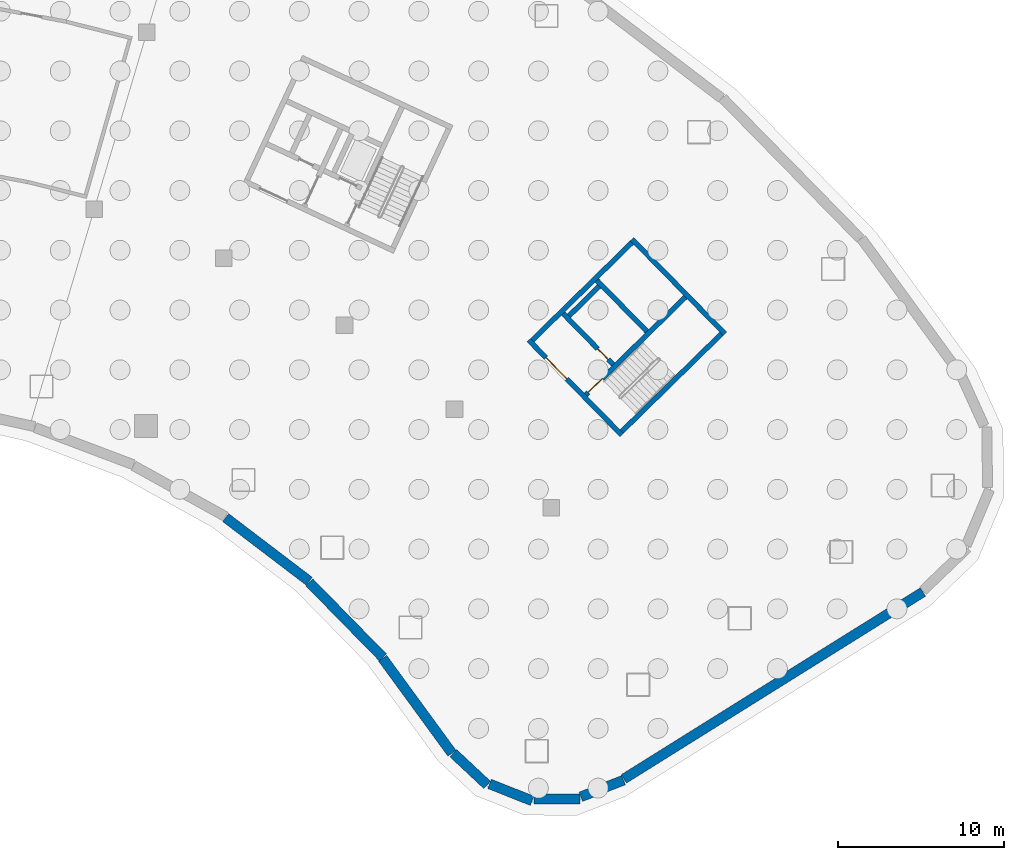
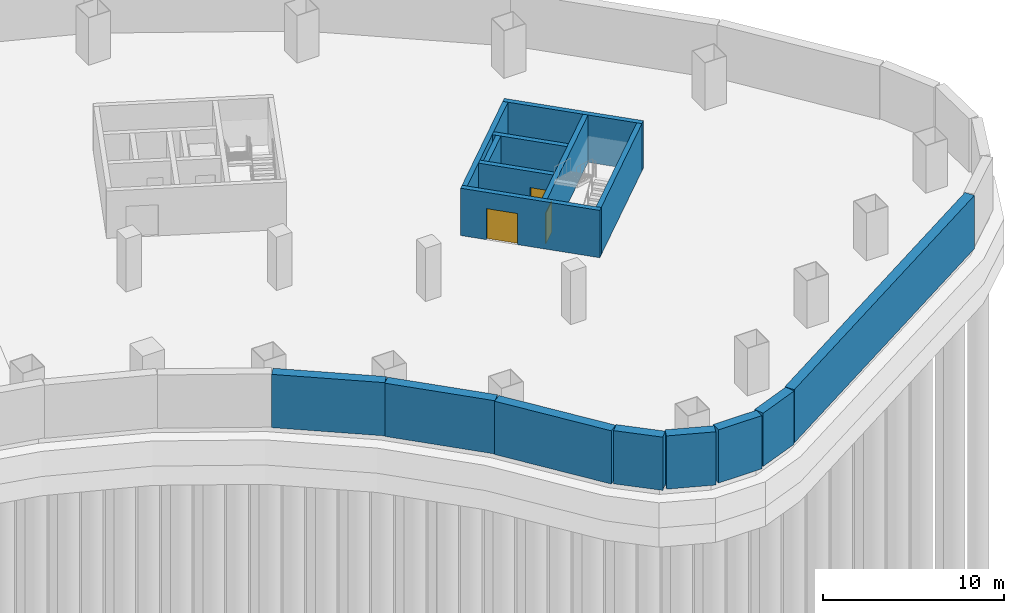
# One storey, part 6 of 10: 16 walls, 3 doors, 3 openings.
"""IFC4 building model written with IfcOpenShell, lengths in metres."""

from ifc_helpers import new_model, si_unit, direction, frame, frame_2d, origin, place, context, subcontext, project, spatial, rectangle, extrude, material, layer, layer_set, type_object, element, fill, save


model = new_model("IFC4")

# Units and contexts
model_context = context("Model", 3, precision=1e-05, world=origin(), true_north=direction((0.0, 1.0)))
body_context = subcontext(model_context, "Body", "Model", "MODEL_VIEW")
ifc_project = project(units=[si_unit("LENGTHUNIT", "METRE"), si_unit("AREAUNIT", "SQUARE_METRE"), si_unit("VOLUMEUNIT", "CUBIC_METRE"), si_unit("PLANEANGLEUNIT", "RADIAN"), si_unit("MASSUNIT", "GRAM", prefix="KILO")], contexts=[model_context])

# Site, building, storey
site_placement = place(None, origin())
site = spatial("IfcSite", under=ifc_project, at=site_placement, CompositionType="ELEMENT")
building_placement = place(site_placement, origin())
building = spatial("IfcBuilding", under=site, at=building_placement, Name="Tuul Gate Civic Tower", CompositionType="ELEMENT")
storey_placement = place(building_placement, frame((0.0, 0.0, -11.699951171875)))
storey = spatial("IfcBuildingStorey", under=building, at=storey_placement, Name="Basement 3", CompositionType="ELEMENT", Elevation=-11.699951171875)

# Wall, opening, door
ifc_material_1 = material(Name="Concrete C50/60", Category="concrete")
ifc_layer_1 = layer(ifc_material_1, 0.300048828125)
ifc_layer_set_1 = layer_set([ifc_layer_1], Name="Concrete C50/60")
wall_type_1 = type_object("IfcWallType", Name="Core wall C50/60", PredefinedType="SHEAR", material=ifc_layer_set_1)
wall_1_placement = place(storey_placement, frame((48.22509765625, -18.327880859375, 0.0), z_axis=(0.0, 0.0, 1.0), x_axis=(-0.700021979774, 0.714121297703, 0.0)))
wall_1 = element("IfcWall", 1, at=wall_1_placement, inside=storey, type_object=wall_type_1, Name="Core wall", PredefinedType="SHEAR", context=body_context, shape_type="SweptSolid", body=[
    extrude(rectangle(XDim=8.0, YDim=0.300048828125, at=frame_2d((4.0, 0.0))), origin(), (0.0, 0.0, 1.0), 3.199951171875),
])
opening_1_placement = place(wall_1_placement, frame((4.72509765625, 0.0, 0.0)))
opening_1 = element("IfcOpeningElement", 2, at=opening_1_placement, cuts=wall_1, Name="Opening LB-E1-LOBBY-1", PredefinedType="OPENING", context=body_context, shape_type="SweptSolid", body=[
    extrude(rectangle(XDim=1.800048828125, YDim=2.10009765625, at=frame_2d((0.89990234375, 1.050048828125))), frame((0.0, 0.16015625, 0.0), z_axis=(0.0, -1.0, 0.0), x_axis=(1.0, 0.0, 0.0)), (0.0, 0.0, 1.0), 0.320068359375),
])
ifc_material_2 = material(Name="Steel", Category="steel")
door_type_1 = type_object("IfcDoorType", Name="Lobby door", OperationType="DOUBLE_DOOR_SINGLE_SWING", PredefinedType="DOOR", material=ifc_material_2)
door_1_placement = place(opening_1_placement, origin())
door_1 = element("IfcDoor", 3, at=door_1_placement, inside=storey, type_object=door_type_1, Name="Lobby door E1-LOBBY", OperationType="DOUBLE_DOOR_SINGLE_SWING", OverallHeight=2.10009765625, OverallWidth=1.800048828125, PredefinedType="DOOR", context=body_context, shape_type="SweptSolid", body=[
    extrude(rectangle(XDim=1.800048828125, YDim=2.10009765625, at=frame_2d((0.89990234375, 1.050048828125))), frame((0.0, 0.02490234375, 0.0), z_axis=(0.0, -1.0, 0.0), x_axis=(1.0, 0.0, 0.0)), (0.0, 0.0, 1.0), 0.050048828125),
])
fill(opening_1, door_1)

wall_2_placement = place(storey_placement, frame((47.701904296875, -14.079833984375, 0.0), z_axis=(0.0, 0.0, 1.0), x_axis=(-0.700002721075, 0.714140175657, 0.0)))
wall_2 = element("IfcWall", 4, at=wall_2_placement, inside=storey, type_object=wall_type_1, Name="Core wall", PredefinedType="SHEAR", context=body_context, shape_type="SweptSolid", body=[
    extrude(rectangle(XDim=4.300048828125, YDim=0.300048828125, at=frame_2d((2.14990234375, 0.0))), origin(), (0.0, 0.0, 1.0), 3.199951171875),
])
opening_2_placement = place(wall_2_placement, frame((0.425048828125, 0.0, 0.0)))
opening_2 = element("IfcOpeningElement", 5, at=opening_2_placement, cuts=wall_2, Name="Opening FB-E1A1", PredefinedType="OPENING", context=body_context, shape_type="SweptSolid", body=[
    extrude(rectangle(XDim=0.89990234375, YDim=2.10009765625, at=frame_2d((0.449951171875, 1.050048828125))), frame((0.0, 0.16015625, 0.0), z_axis=(0.0, -1.0, 0.0), x_axis=(1.0, 0.0, 0.0)), (0.0, 0.0, 1.0), 0.320068359375),
])
ifc_material_3 = material(Name="Steel", Category="steel")
door_type_2 = type_object("IfcDoorType", Name="Store door", OperationType="NOTDEFINED", PredefinedType="DOOR", material=ifc_material_3)
door_2_placement = place(opening_2_placement, frame((0.89990234375, 0.0, 0.0), z_axis=(0.0, 0.0, 1.0), x_axis=(-1.0, 0.0, 0.0)))
door_2 = element("IfcDoor", 6, at=door_2_placement, inside=storey, type_object=door_type_2, Name="Store door E1A1", OperationType="SINGLE_SWING_RIGHT", OverallHeight=2.10009765625, OverallWidth=0.89990234375, PredefinedType="DOOR", context=body_context, shape_type="SweptSolid", body=[
    extrude(rectangle(XDim=0.89990234375, YDim=2.10009765625, at=frame_2d((0.449951171875, 1.050048828125))), frame((0.0, 0.02490234375, 0.0), z_axis=(0.0, -1.0, 0.0), x_axis=(1.0, 0.0, 0.0)), (0.0, 0.0, 1.0), 0.050048828125),
])
fill(opening_2, door_2)

# Walls
wall_3_placement = place(storey_placement, frame((49.737060546875, -12.0849609375, 0.0), z_axis=(0.0, 0.0, 1.0), x_axis=(-0.700002721075, 0.714140175657, 0.0)))
element("IfcWall", 7, at=wall_3_placement, inside=storey, type_object=wall_type_1, Name="Core wall", PredefinedType="SHEAR", context=body_context, shape_type="SweptSolid", body=[
    extrude(rectangle(XDim=4.300048828125, YDim=0.300048828125, at=frame_2d((2.14990234375, 0.0))), origin(), (0.0, 0.0, 1.0), 3.199951171875),
])
wall_4_placement = place(storey_placement, frame((54.43798828125, -12.23779296875, 0.0), z_axis=(0.0, 0.0, 1.0), x_axis=(-0.700021979774, 0.714121297703, 0.0)))
element("IfcWall", 8, at=wall_4_placement, inside=storey, type_object=wall_type_1, Name="Core wall", PredefinedType="SHEAR", context=body_context, shape_type="SweptSolid", body=[
    extrude(rectangle(XDim=8.0, YDim=0.300048828125, at=frame_2d((4.0, 0.0))), origin(), (0.0, 0.0, 1.0), 3.199951171875),
])
wall_5_placement = place(storey_placement, frame((48.227294921875, -18.115966796875, 0.0), z_axis=(0.0, 0.0, 1.0), x_axis=(0.714105315431, 0.700038283577, 0.0)))
element("IfcWall", 9, at=wall_5_placement, inside=storey, type_object=wall_type_1, Name="Core wall", PredefinedType="SHEAR", context=body_context, shape_type="SweptSolid", body=[
    extrude(rectangle(XDim=8.400146484375, YDim=0.300048828125, at=frame_2d((4.2001953125, 0.0))), origin(), (0.0, 0.0, 1.0), 3.199951171875),
])

# Wall, opening, door
wall_6_placement = place(storey_placement, frame((46.05712890625, -15.902099609375, 0.0), z_axis=(0.0, 0.0, 1.0), x_axis=(0.714134086973, 0.700008932674, 0.0)))
wall_6 = element("IfcWall", 10, at=wall_6_placement, inside=storey, type_object=wall_type_1, Name="Core wall", PredefinedType="SHEAR", context=body_context, shape_type="SweptSolid", body=[
    extrude(rectangle(XDim=8.400146484375, YDim=0.300048828125, at=frame_2d((4.2001953125, 0.0))), origin(), (0.0, 0.0, 1.0), 3.199951171875),
])
opening_3_placement = place(wall_6_placement, frame((0.199951171875, 0.0, 0.0)))
opening_3 = element("IfcOpeningElement", 11, at=opening_3_placement, cuts=wall_6, Name="Opening SD-ST-3", PredefinedType="OPENING", context=body_context, shape_type="SweptSolid", body=[
    extrude(rectangle(XDim=1.199951171875, YDim=2.10009765625, at=frame_2d((0.60009765625, 1.050048828125))), frame((0.0, 0.16015625, 0.0), z_axis=(0.0, -1.0, 0.0), x_axis=(1.0, 0.0, 0.0)), (0.0, 0.0, 1.0), 0.320068359375),
])
ifc_material_4 = material(Name="Steel", Category="steel")
door_type_3 = type_object("IfcDoorType", Name="Stair door", OperationType="NOTDEFINED", PredefinedType="DOOR", material=ifc_material_4)
door_3_placement = place(opening_3_placement, origin())
door_3 = element("IfcDoor", 12, at=door_3_placement, inside=storey, type_object=door_type_3, Name="Stair door ST-3", OperationType="SINGLE_SWING_LEFT", OverallHeight=2.10009765625, OverallWidth=1.199951171875, PredefinedType="DOOR", context=body_context, shape_type="SweptSolid", body=[
    extrude(rectangle(XDim=1.199951171875, YDim=2.10009765625, at=frame_2d((0.60009765625, 1.050048828125))), frame((0.0, 0.02490234375, 0.0), z_axis=(0.0, -1.0, 0.0), x_axis=(1.0, 0.0, 0.0)), (0.0, 0.0, 1.0), 0.050048828125),
])
fill(opening_3, door_3)

# Walls
wall_7_placement = place(storey_placement, frame((45.0439453125, -11.154052734375, 0.0), z_axis=(0.0, 0.0, 1.0), x_axis=(0.714108498262, 0.700035036773, 0.0)))
element("IfcWall", 13, at=wall_7_placement, inside=storey, type_object=wall_type_1, Name="Core wall", PredefinedType="SHEAR", context=body_context, shape_type="SweptSolid", body=[
    extrude(rectangle(XDim=2.550048828125, YDim=0.300048828125, at=frame_2d((1.27490234375, 0.0))), origin(), (0.0, 0.0, 1.0), 3.199951171875),
])
wall_8_placement = place(storey_placement, frame((42.837158203125, -12.616943359375, 0.0), z_axis=(0.0, 0.0, 1.0), x_axis=(0.714119844755, 0.700023461983, 0.0)))
element("IfcWall", 14, at=wall_8_placement, inside=storey, type_object=wall_type_1, Name="Core wall", PredefinedType="SHEAR", context=body_context, shape_type="SweptSolid", body=[
    extrude(rectangle(XDim=8.39990234375, YDim=0.300048828125, at=frame_2d((4.199951171875, 0.0))), origin(), (0.0, 0.0, 1.0), 3.199951171875),
])
ifc_material_5 = material(Name="Concrete C40/50", Category="concrete")
ifc_layer_2 = layer(ifc_material_5, 0.60009765625)
ifc_layer_set_2 = layer_set([ifc_layer_2], Name="Concrete C40/50")
wall_type_2 = type_object("IfcWallType", Name="STR-BASEMENT-WALL-600", PredefinedType="SOLIDWALL", material=ifc_layer_set_2)
wall_9_placement = place(storey_placement, frame((24.36669921875, -23.305908203125, 0.0), z_axis=(0.0, 0.0, 1.0), x_axis=(0.795574327879, -0.605855996768, 0.0)))
element("IfcWall", 15, at=wall_9_placement, inside=storey, type_object=wall_type_2, Name="Retaining wall", PredefinedType="SOLIDWALL", context=body_context, shape_type="SweptSolid", body=[
    extrude(rectangle(XDim=6.326171875, YDim=0.60009765625, at=frame_2d((3.1630859375, 0.0))), origin(), (0.0, 0.0, 1.0), 3.599853515625),
])
wall_10_placement = place(storey_placement, frame((29.400146484375, -27.200927734375, 0.0), z_axis=(0.0, 0.0, 1.0), x_axis=(0.699988825608, -0.714153795778, 0.0)))
element("IfcWall", 16, at=wall_10_placement, inside=storey, type_object=wall_type_2, Name="Retaining wall", PredefinedType="SOLIDWALL", context=body_context, shape_type="SweptSolid", body=[
    extrude(rectangle(XDim=6.325439453125, YDim=0.60009765625, at=frame_2d((3.16259765625, 0.0))), origin(), (0.0, 0.0, 1.0), 3.599853515625),
])
wall_11_placement = place(storey_placement, frame((33.819580078125, -31.77978515625, 0.0), z_axis=(0.0, 0.0, 1.0), x_axis=(0.58979083705, -0.807556046682, 0.0)))
element("IfcWall", 17, at=wall_11_placement, inside=storey, type_object=wall_type_2, Name="Retaining wall", PredefinedType="SOLIDWALL", context=body_context, shape_type="SweptSolid", body=[
    extrude(rectangle(XDim=7.07763671875, YDim=0.60009765625, at=frame_2d((3.538818359375, 0.0))), origin(), (0.0, 0.0, 1.0), 3.599853515625),
])
wall_12_placement = place(storey_placement, frame((38.073974609375, -37.49365234375, 0.0), z_axis=(0.0, 0.0, 1.0), x_axis=(0.729885277798, -0.683569660864, 0.0)))
element("IfcWall", 18, at=wall_12_placement, inside=storey, type_object=wall_type_2, Name="Retaining wall", PredefinedType="SOLIDWALL", context=body_context, shape_type="SweptSolid", body=[
    extrude(rectangle(XDim=2.799072265625, YDim=0.60009765625, at=frame_2d((1.3994140625, 0.0))), origin(), (0.0, 0.0, 1.0), 3.599853515625),
])
wall_13_placement = place(storey_placement, frame((40.260498046875, -39.345947265625, 0.0), z_axis=(0.0, 0.0, 1.0), x_axis=(0.92939489818, -0.369086877627, 0.0)))
element("IfcWall", 19, at=wall_13_placement, inside=storey, type_object=wall_type_2, Name="Retaining wall", PredefinedType="SOLIDWALL", context=body_context, shape_type="SweptSolid", body=[
    extrude(rectangle(XDim=2.76025390625, YDim=0.60009765625, at=frame_2d((1.380126953125, 0.0))), origin(), (0.0, 0.0, 1.0), 3.599853515625),
])
for number, where, z_axis, x_axis, name in (
    (20, (42.937255859375, -40.255126953125, 0.0), (0.0, 0.0, 1.0), (0.999994928839, -0.003184697226, 0.0), "Retaining wall"),
    (21, (45.760498046875, -40.12158203125, 0.0), (0.0, 0.0, 1.0), (0.932003011287, 0.362450530351, 0.0), "Retaining wall"),
):
    element("IfcWall", number, at=place(storey_placement, frame(where, z_axis=z_axis, x_axis=x_axis)), inside=storey, type_object=wall_type_2, Name=name, PredefinedType="SOLIDWALL", context=body_context, shape_type="SweptSolid", body=[
        extrude(rectangle(XDim=2.759765625, YDim=0.60009765625, at=frame_2d((1.3798828125, 0.0))), origin(), (0.0, 0.0, 1.0), 3.599853515625),
    ])
wall_14_placement = place(storey_placement, frame((48.3515625, -39.04345703125, 0.0), z_axis=(0.0, 0.0, 1.0), x_axis=(0.84804026934, 0.529931789552, 0.0)))
element("IfcWall", 22, at=wall_14_placement, inside=storey, type_object=wall_type_2, Name="Retaining wall", PredefinedType="SOLIDWALL", context=body_context, shape_type="SweptSolid", body=[
    extrude(rectangle(XDim=21.242919921875, YDim=0.60009765625, at=frame_2d((10.62158203125, 0.0))), origin(), (0.0, 0.0, 1.0), 3.599853515625),
])

save(model, "model.ifc")
